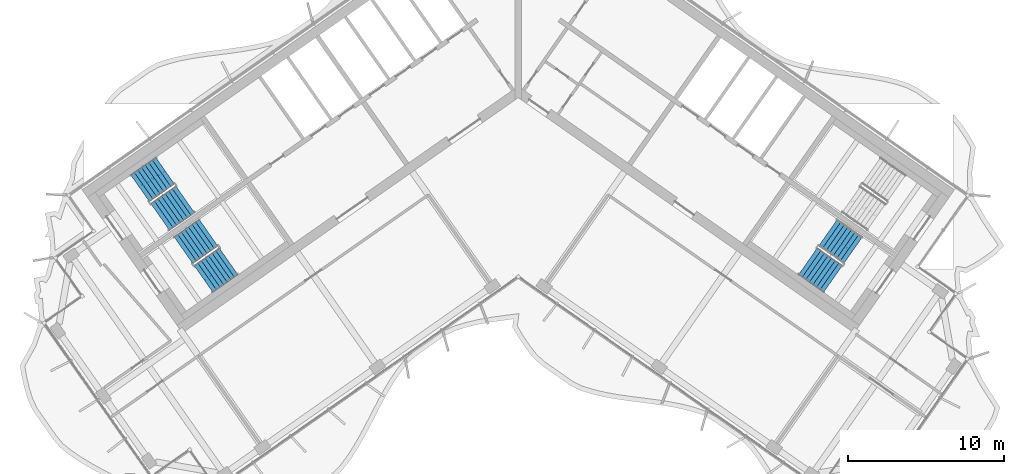
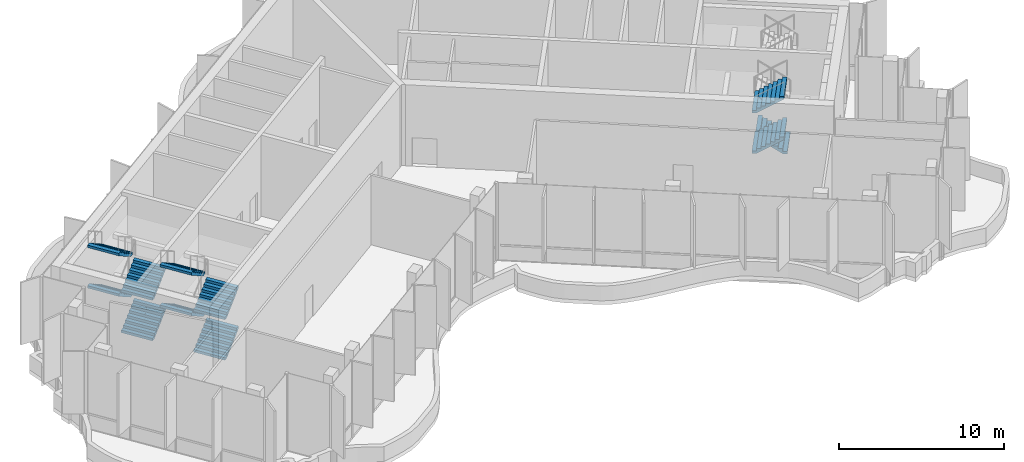
# One storey, part 11 of 18: 11 stair flights, 3 elements without a shape of their own.
"""IFC4 building model written with IfcOpenShell, lengths in metres."""

from ifc_helpers import new_model, si_unit, direction, frame, origin, place, context, subcontext, project, spatial, polyline, outline, extrude, material, type_object, element, aggregate, save


model = new_model("IFC4")

# Units and contexts
model_context = context("Model", 3, precision=1e-05, world=origin(), true_north=direction((0.0, 1.0)))
body_context = subcontext(model_context, "Body", "Model", "MODEL_VIEW")
ifc_project = project(units=[si_unit("LENGTHUNIT", "METRE"), si_unit("AREAUNIT", "SQUARE_METRE"), si_unit("VOLUMEUNIT", "CUBIC_METRE"), si_unit("PLANEANGLEUNIT", "RADIAN"), si_unit("MASSUNIT", "GRAM", prefix="KILO")], contexts=[model_context])

# Site, building, storey
site_placement = place(None, origin())
site = spatial("IfcSite", under=ifc_project, at=site_placement, CompositionType="ELEMENT")
building_placement = place(site_placement, origin())
building = spatial("IfcBuilding", under=site, at=building_placement, Name="Tel Ilan Convention Tower", CompositionType="ELEMENT")
storey_placement = place(building_placement, frame((0.0, 0.0, 307.300048828125)))
storey = spatial("IfcBuildingStorey", under=building, at=storey_placement, Name="L73", CompositionType="ELEMENT", Elevation=307.300048828125)

# Stair, stair flights
ifc_material_1 = material(Name="Concrete C40/50", Category="concrete")
stair_type = type_object("IfcStairType", Name="Pressurised Exit Stair 32 risers 188 mm", PredefinedType="HALF_TURN_STAIR", material=ifc_material_1)
stair_1_placement = place(storey_placement, origin())
stair_1 = element("IfcStair", 1, at=stair_1_placement, inside=storey, type_object=stair_type, Name="L73 Pressurised Stair S1", PredefinedType="HALF_TURN_STAIR")
ifc_material_2 = material(Name="Precast Concrete C40/50", Category="concrete")
stair_flight_type = type_object("IfcStairFlightType", Name="Concrete Stair Flight 2100 mm 32 risers 188 mm", PredefinedType="STRAIGHT", material=ifc_material_2)
stair_flight_1_placement = place(storey_placement, frame((-22.9619140625, -8.87548828125, 0.0), z_axis=(0.0, 0.0, 1.0), x_axis=(0.819152044289, 0.573576436351, 0.0)))
stair_flight_1 = element("IfcStairFlight", 2, at=stair_flight_1_placement, type_object=stair_flight_type, Name="S1 flight 1", NumberOfRisers=8, NumberOfTreads=7, PredefinedType="STRAIGHT", RiserHeight=0.1875, TreadLength=0.28, context=body_context, shape_type="SweptSolid", body=[
    extrude(outline(polyline([(0.0, 0.0), (0.0, 0.1875), (0.280029296875, 0.1875), (0.280029296875, 0.375), (0.56005859375, 0.375), (0.56005859375, 0.5625), (0.840087890625, 0.5625), (0.840087890625, 0.75), (1.1201171875, 0.75), (1.1201171875, 0.9375), (1.39990234375, 0.9375), (1.39990234375, 1.125), (1.679931640625, 1.125), (1.679931640625, 1.3125), (1.9599609375, 1.3125), (1.9599609375, 1.5), (1.9599609375, 1.132080078125), (0.26953125, 0.0), (0.0, 0.0)])), frame((0.0, -0.100341796875, 0.0), z_axis=(0.0, -1.0, 0.0), x_axis=(1.0, 0.0, 0.0)), (0.0, 0.0, 1.0), 0.94970703125),
    extrude(outline(polyline([(0.0, 0.0), (0.0, 0.1875), (0.280029296875, 0.1875), (0.280029296875, 0.375), (0.56005859375, 0.375), (0.56005859375, 0.5625), (0.840087890625, 0.5625), (0.840087890625, 0.75), (1.1201171875, 0.75), (1.1201171875, 0.9375), (1.39990234375, 0.9375), (1.39990234375, 1.125), (1.679931640625, 1.125), (1.679931640625, 1.3125), (1.9599609375, 1.3125), (1.9599609375, 1.5), (1.9599609375, 1.132080078125), (0.26953125, 0.0), (0.0, 0.0)])), frame((0.0, -0.000244140625, 0.0), z_axis=(0.0, -1.0, 0.0), x_axis=(1.0, 0.0, 0.0)), (0.0, 0.0, 1.0), 0.099609375),
    extrude(outline(polyline([(0.0, 0.0), (0.0, 0.1875), (0.280029296875, 0.1875), (0.280029296875, 0.375), (0.56005859375, 0.375), (0.56005859375, 0.5625), (0.840087890625, 0.5625), (0.840087890625, 0.75), (1.1201171875, 0.75), (1.1201171875, 0.9375), (1.39990234375, 0.9375), (1.39990234375, 1.125), (1.679931640625, 1.125), (1.679931640625, 1.3125), (1.9599609375, 1.3125), (1.9599609375, 1.5), (1.9599609375, 1.132080078125), (0.26953125, 0.0), (0.0, 0.0)])), frame((0.0, 0.099853515625, 0.0), z_axis=(0.0, -1.0, 0.0), x_axis=(1.0, 0.0, 0.0)), (0.0, 0.0, 1.0), 0.099609375),
    extrude(outline(polyline([(0.0, 0.0), (0.0, 0.1875), (0.280029296875, 0.1875), (0.280029296875, 0.375), (0.56005859375, 0.375), (0.56005859375, 0.5625), (0.840087890625, 0.5625), (0.840087890625, 0.75), (1.1201171875, 0.75), (1.1201171875, 0.9375), (1.39990234375, 0.9375), (1.39990234375, 1.125), (1.679931640625, 1.125), (1.679931640625, 1.3125), (1.9599609375, 1.3125), (1.9599609375, 1.5), (1.9599609375, 1.132080078125), (0.26953125, 0.0), (0.0, 0.0)])), frame((0.0, 1.050048828125, 0.0), z_axis=(0.0, -1.0, 0.0), x_axis=(1.0, 0.0, 0.0)), (0.0, 0.0, 1.0), 0.94970703125),
])
stair_flight_2_placement = place(storey_placement, frame((-22.646728515625, -5.908203125, 1.5), z_axis=(0.0, 0.0, 1.0), x_axis=(-0.819152044289, -0.573576436351, 0.0)))
stair_flight_2 = element("IfcStairFlight", 3, at=stair_flight_2_placement, type_object=stair_flight_type, Name="S1 flight 2", NumberOfRisers=8, NumberOfTreads=7, PredefinedType="STRAIGHT", RiserHeight=0.1875, TreadLength=0.28, context=body_context, shape_type="SweptSolid", body=[
    extrude(outline(polyline([(0.0, 0.0), (0.0, 0.1875), (0.280029296875, 0.1875), (0.280029296875, 0.375), (0.56005859375, 0.375), (0.56005859375, 0.5625), (0.840087890625, 0.5625), (0.840087890625, 0.75), (1.1201171875, 0.75), (1.1201171875, 0.9375), (1.39990234375, 0.9375), (1.39990234375, 1.125), (1.679931640625, 1.125), (1.679931640625, 1.3125), (1.9599609375, 1.3125), (1.9599609375, 1.5), (1.9599609375, 1.132080078125), (0.26953125, 0.0), (0.0, 0.0)])), frame((0.0, -0.100341796875, 0.0), z_axis=(0.0, -1.0, 0.0), x_axis=(1.0, 0.0, 0.0)), (0.0, 0.0, 1.0), 0.94970703125),
    extrude(outline(polyline([(0.0, 0.0), (0.0, 0.1875), (0.280029296875, 0.1875), (0.280029296875, 0.375), (0.56005859375, 0.375), (0.56005859375, 0.5625), (0.840087890625, 0.5625), (0.840087890625, 0.75), (1.1201171875, 0.75), (1.1201171875, 0.9375), (1.39990234375, 0.9375), (1.39990234375, 1.125), (1.679931640625, 1.125), (1.679931640625, 1.3125), (1.9599609375, 1.3125), (1.9599609375, 1.5), (1.9599609375, 1.132080078125), (0.26953125, 0.0), (0.0, 0.0)])), frame((0.0, -0.000244140625, 0.0), z_axis=(0.0, -1.0, 0.0), x_axis=(1.0, 0.0, 0.0)), (0.0, 0.0, 1.0), 0.099609375),
    extrude(outline(polyline([(0.0, 0.0), (0.0, 0.1875), (0.280029296875, 0.1875), (0.280029296875, 0.375), (0.56005859375, 0.375), (0.56005859375, 0.5625), (0.840087890625, 0.5625), (0.840087890625, 0.75), (1.1201171875, 0.75), (1.1201171875, 0.9375), (1.39990234375, 0.9375), (1.39990234375, 1.125), (1.679931640625, 1.125), (1.679931640625, 1.3125), (1.9599609375, 1.3125), (1.9599609375, 1.5), (1.9599609375, 1.132080078125), (0.26953125, 0.0), (0.0, 0.0)])), frame((0.0, 0.099853515625, 0.0), z_axis=(0.0, -1.0, 0.0), x_axis=(1.0, 0.0, 0.0)), (0.0, 0.0, 1.0), 0.099609375),
    extrude(outline(polyline([(0.0, 0.0), (0.0, 0.1875), (0.280029296875, 0.1875), (0.280029296875, 0.375), (0.56005859375, 0.375), (0.56005859375, 0.5625), (0.840087890625, 0.5625), (0.840087890625, 0.75), (1.1201171875, 0.75), (1.1201171875, 0.9375), (1.39990234375, 0.9375), (1.39990234375, 1.125), (1.679931640625, 1.125), (1.679931640625, 1.3125), (1.9599609375, 1.3125), (1.9599609375, 1.5), (1.9599609375, 1.132080078125), (0.26953125, 0.0), (0.0, 0.0)])), frame((0.0, 1.050048828125, 0.0), z_axis=(0.0, -1.0, 0.0), x_axis=(1.0, 0.0, 0.0)), (0.0, 0.0, 1.0), 0.94970703125),
])
stair_flight_3_placement = place(storey_placement, frame((-22.9619140625, -8.87548828125, 3.0), z_axis=(0.0, 0.0, 1.0), x_axis=(0.819152044289, 0.573576436351, 0.0)))
stair_flight_3 = element("IfcStairFlight", 4, at=stair_flight_3_placement, type_object=stair_flight_type, Name="S1 flight 3", NumberOfRisers=8, NumberOfTreads=7, PredefinedType="STRAIGHT", RiserHeight=0.1875, TreadLength=0.28, context=body_context, shape_type="SweptSolid", body=[
    extrude(outline(polyline([(0.0, 0.0), (0.0, 0.1875), (0.280029296875, 0.1875), (0.280029296875, 0.375), (0.56005859375, 0.375), (0.56005859375, 0.5625), (0.840087890625, 0.5625), (0.840087890625, 0.75), (1.1201171875, 0.75), (1.1201171875, 0.9375), (1.39990234375, 0.9375), (1.39990234375, 1.125), (1.679931640625, 1.125), (1.679931640625, 1.3125), (1.9599609375, 1.3125), (1.9599609375, 1.5), (1.9599609375, 1.132080078125), (0.26953125, 0.0), (0.0, 0.0)])), frame((0.0, -0.100341796875, 0.0), z_axis=(0.0, -1.0, 0.0), x_axis=(1.0, 0.0, 0.0)), (0.0, 0.0, 1.0), 0.94970703125),
    extrude(outline(polyline([(0.0, 0.0), (0.0, 0.1875), (0.280029296875, 0.1875), (0.280029296875, 0.375), (0.56005859375, 0.375), (0.56005859375, 0.5625), (0.840087890625, 0.5625), (0.840087890625, 0.75), (1.1201171875, 0.75), (1.1201171875, 0.9375), (1.39990234375, 0.9375), (1.39990234375, 1.125), (1.679931640625, 1.125), (1.679931640625, 1.3125), (1.9599609375, 1.3125), (1.9599609375, 1.5), (1.9599609375, 1.132080078125), (0.26953125, 0.0), (0.0, 0.0)])), frame((0.0, -0.000244140625, 0.0), z_axis=(0.0, -1.0, 0.0), x_axis=(1.0, 0.0, 0.0)), (0.0, 0.0, 1.0), 0.099609375),
    extrude(outline(polyline([(0.0, 0.0), (0.0, 0.1875), (0.280029296875, 0.1875), (0.280029296875, 0.375), (0.56005859375, 0.375), (0.56005859375, 0.5625), (0.840087890625, 0.5625), (0.840087890625, 0.75), (1.1201171875, 0.75), (1.1201171875, 0.9375), (1.39990234375, 0.9375), (1.39990234375, 1.125), (1.679931640625, 1.125), (1.679931640625, 1.3125), (1.9599609375, 1.3125), (1.9599609375, 1.5), (1.9599609375, 1.132080078125), (0.26953125, 0.0), (0.0, 0.0)])), frame((0.0, 0.099853515625, 0.0), z_axis=(0.0, -1.0, 0.0), x_axis=(1.0, 0.0, 0.0)), (0.0, 0.0, 1.0), 0.099609375),
    extrude(outline(polyline([(0.0, 0.0), (0.0, 0.1875), (0.280029296875, 0.1875), (0.280029296875, 0.375), (0.56005859375, 0.375), (0.56005859375, 0.5625), (0.840087890625, 0.5625), (0.840087890625, 0.75), (1.1201171875, 0.75), (1.1201171875, 0.9375), (1.39990234375, 0.9375), (1.39990234375, 1.125), (1.679931640625, 1.125), (1.679931640625, 1.3125), (1.9599609375, 1.3125), (1.9599609375, 1.5), (1.9599609375, 1.132080078125), (0.26953125, 0.0), (0.0, 0.0)])), frame((0.0, 1.050048828125, 0.0), z_axis=(0.0, -1.0, 0.0), x_axis=(1.0, 0.0, 0.0)), (0.0, 0.0, 1.0), 0.94970703125),
])
stair_flight_4_placement = place(storey_placement, frame((-22.646728515625, -5.908203125, 4.5), z_axis=(0.0, 0.0, 1.0), x_axis=(-0.819152044289, -0.573576436351, 0.0)))
stair_flight_4 = element("IfcStairFlight", 5, at=stair_flight_4_placement, type_object=stair_flight_type, Name="S1 flight 4", NumberOfRisers=8, NumberOfTreads=7, PredefinedType="STRAIGHT", RiserHeight=0.1875, TreadLength=0.28, context=body_context, shape_type="SweptSolid", body=[
    extrude(outline(polyline([(0.0, 0.0), (0.0, 0.1875), (0.280029296875, 0.1875), (0.280029296875, 0.375), (0.56005859375, 0.375), (0.56005859375, 0.5625), (0.840087890625, 0.5625), (0.840087890625, 0.75), (1.1201171875, 0.75), (1.1201171875, 0.9375), (1.39990234375, 0.9375), (1.39990234375, 1.125), (1.679931640625, 1.125), (1.679931640625, 1.3125), (1.9599609375, 1.3125), (1.9599609375, 1.5), (1.9599609375, 1.132080078125), (0.26953125, 0.0), (0.0, 0.0)])), frame((0.0, -0.100341796875, 0.0), z_axis=(0.0, -1.0, 0.0), x_axis=(1.0, 0.0, 0.0)), (0.0, 0.0, 1.0), 0.94970703125),
    extrude(outline(polyline([(0.0, 0.0), (0.0, 0.1875), (0.280029296875, 0.1875), (0.280029296875, 0.375), (0.56005859375, 0.375), (0.56005859375, 0.5625), (0.840087890625, 0.5625), (0.840087890625, 0.75), (1.1201171875, 0.75), (1.1201171875, 0.9375), (1.39990234375, 0.9375), (1.39990234375, 1.125), (1.679931640625, 1.125), (1.679931640625, 1.3125), (1.9599609375, 1.3125), (1.9599609375, 1.5), (1.9599609375, 1.132080078125), (0.26953125, 0.0), (0.0, 0.0)])), frame((0.0, -0.000244140625, 0.0), z_axis=(0.0, -1.0, 0.0), x_axis=(1.0, 0.0, 0.0)), (0.0, 0.0, 1.0), 0.099609375),
    extrude(outline(polyline([(0.0, 0.0), (0.0, 0.1875), (0.280029296875, 0.1875), (0.280029296875, 0.375), (0.56005859375, 0.375), (0.56005859375, 0.5625), (0.840087890625, 0.5625), (0.840087890625, 0.75), (1.1201171875, 0.75), (1.1201171875, 0.9375), (1.39990234375, 0.9375), (1.39990234375, 1.125), (1.679931640625, 1.125), (1.679931640625, 1.3125), (1.9599609375, 1.3125), (1.9599609375, 1.5), (1.9599609375, 1.132080078125), (0.26953125, 0.0), (0.0, 0.0)])), frame((0.0, 0.099853515625, 0.0), z_axis=(0.0, -1.0, 0.0), x_axis=(1.0, 0.0, 0.0)), (0.0, 0.0, 1.0), 0.099609375),
    extrude(outline(polyline([(0.0, 0.0), (0.0, 0.1875), (0.280029296875, 0.1875), (0.280029296875, 0.375), (0.56005859375, 0.375), (0.56005859375, 0.5625), (0.840087890625, 0.5625), (0.840087890625, 0.75), (1.1201171875, 0.75), (1.1201171875, 0.9375), (1.39990234375, 0.9375), (1.39990234375, 1.125), (1.679931640625, 1.125), (1.679931640625, 1.3125), (1.9599609375, 1.3125), (1.9599609375, 1.5), (1.9599609375, 1.132080078125), (0.26953125, 0.0), (0.0, 0.0)])), frame((0.0, 1.050048828125, 0.0), z_axis=(0.0, -1.0, 0.0), x_axis=(1.0, 0.0, 0.0)), (0.0, 0.0, 1.0), 0.94970703125),
])
aggregate(stair_1, [stair_flight_1, stair_flight_2, stair_flight_3, stair_flight_4])

stair_2_placement = place(storey_placement, origin())
stair_2 = element("IfcStair", 6, at=stair_2_placement, inside=storey, type_object=stair_type, Name="L73 Pressurised Stair S2", PredefinedType="HALF_TURN_STAIR")
stair_flight_5_placement = place(storey_placement, frame((-20.179931640625, -12.848388671875, 0.0), z_axis=(0.0, 0.0, 1.0), x_axis=(0.819152044289, 0.573576436351, 0.0)))
stair_flight_5 = element("IfcStairFlight", 7, at=stair_flight_5_placement, type_object=stair_flight_type, Name="S2 flight 1", NumberOfRisers=8, NumberOfTreads=7, PredefinedType="STRAIGHT", RiserHeight=0.1875, TreadLength=0.28, context=body_context, shape_type="SweptSolid", body=[
    extrude(outline(polyline([(0.0, 0.0), (0.0, 0.1875), (0.280029296875, 0.1875), (0.280029296875, 0.375), (0.56005859375, 0.375), (0.56005859375, 0.5625), (0.840087890625, 0.5625), (0.840087890625, 0.75), (1.1201171875, 0.75), (1.1201171875, 0.9375), (1.39990234375, 0.9375), (1.39990234375, 1.125), (1.679931640625, 1.125), (1.679931640625, 1.3125), (1.9599609375, 1.3125), (1.9599609375, 1.5), (1.9599609375, 1.132080078125), (0.26953125, 0.0), (0.0, 0.0)])), frame((0.0, -0.100341796875, 0.0), z_axis=(0.0, -1.0, 0.0), x_axis=(1.0, 0.0, 0.0)), (0.0, 0.0, 1.0), 0.94970703125),
    extrude(outline(polyline([(0.0, 0.0), (0.0, 0.1875), (0.280029296875, 0.1875), (0.280029296875, 0.375), (0.56005859375, 0.375), (0.56005859375, 0.5625), (0.840087890625, 0.5625), (0.840087890625, 0.75), (1.1201171875, 0.75), (1.1201171875, 0.9375), (1.39990234375, 0.9375), (1.39990234375, 1.125), (1.679931640625, 1.125), (1.679931640625, 1.3125), (1.9599609375, 1.3125), (1.9599609375, 1.5), (1.9599609375, 1.132080078125), (0.26953125, 0.0), (0.0, 0.0)])), frame((0.0, -0.000244140625, 0.0), z_axis=(0.0, -1.0, 0.0), x_axis=(1.0, 0.0, 0.0)), (0.0, 0.0, 1.0), 0.099609375),
    extrude(outline(polyline([(0.0, 0.0), (0.0, 0.1875), (0.280029296875, 0.1875), (0.280029296875, 0.375), (0.56005859375, 0.375), (0.56005859375, 0.5625), (0.840087890625, 0.5625), (0.840087890625, 0.75), (1.1201171875, 0.75), (1.1201171875, 0.9375), (1.39990234375, 0.9375), (1.39990234375, 1.125), (1.679931640625, 1.125), (1.679931640625, 1.3125), (1.9599609375, 1.3125), (1.9599609375, 1.5), (1.9599609375, 1.132080078125), (0.26953125, 0.0), (0.0, 0.0)])), frame((0.0, 0.099853515625, 0.0), z_axis=(0.0, -1.0, 0.0), x_axis=(1.0, 0.0, 0.0)), (0.0, 0.0, 1.0), 0.099609375),
    extrude(outline(polyline([(0.0, 0.0), (0.0, 0.1875), (0.280029296875, 0.1875), (0.280029296875, 0.375), (0.56005859375, 0.375), (0.56005859375, 0.5625), (0.840087890625, 0.5625), (0.840087890625, 0.75), (1.1201171875, 0.75), (1.1201171875, 0.9375), (1.39990234375, 0.9375), (1.39990234375, 1.125), (1.679931640625, 1.125), (1.679931640625, 1.3125), (1.9599609375, 1.3125), (1.9599609375, 1.5), (1.9599609375, 1.132080078125), (0.26953125, 0.0), (0.0, 0.0)])), frame((0.0, 1.050048828125, 0.0), z_axis=(0.0, -1.0, 0.0), x_axis=(1.0, 0.0, 0.0)), (0.0, 0.0, 1.0), 0.94970703125),
])
stair_flight_6_placement = place(storey_placement, frame((-19.864990234375, -9.881103515625, 1.5), z_axis=(0.0, 0.0, 1.0), x_axis=(-0.819152044289, -0.573576436351, 0.0)))
stair_flight_6 = element("IfcStairFlight", 8, at=stair_flight_6_placement, type_object=stair_flight_type, Name="S2 flight 2", NumberOfRisers=8, NumberOfTreads=7, PredefinedType="STRAIGHT", RiserHeight=0.1875, TreadLength=0.28, context=body_context, shape_type="SweptSolid", body=[
    extrude(outline(polyline([(0.0, 0.0), (0.0, 0.1875), (0.280029296875, 0.1875), (0.280029296875, 0.375), (0.56005859375, 0.375), (0.56005859375, 0.5625), (0.840087890625, 0.5625), (0.840087890625, 0.75), (1.1201171875, 0.75), (1.1201171875, 0.9375), (1.39990234375, 0.9375), (1.39990234375, 1.125), (1.679931640625, 1.125), (1.679931640625, 1.3125), (1.9599609375, 1.3125), (1.9599609375, 1.5), (1.9599609375, 1.132080078125), (0.26953125, 0.0), (0.0, 0.0)])), frame((0.0, -0.100341796875, 0.0), z_axis=(0.0, -1.0, 0.0), x_axis=(1.0, 0.0, 0.0)), (0.0, 0.0, 1.0), 0.94970703125),
    extrude(outline(polyline([(0.0, 0.0), (0.0, 0.1875), (0.280029296875, 0.1875), (0.280029296875, 0.375), (0.56005859375, 0.375), (0.56005859375, 0.5625), (0.840087890625, 0.5625), (0.840087890625, 0.75), (1.1201171875, 0.75), (1.1201171875, 0.9375), (1.39990234375, 0.9375), (1.39990234375, 1.125), (1.679931640625, 1.125), (1.679931640625, 1.3125), (1.9599609375, 1.3125), (1.9599609375, 1.5), (1.9599609375, 1.132080078125), (0.26953125, 0.0), (0.0, 0.0)])), frame((0.0, -0.000244140625, 0.0), z_axis=(0.0, -1.0, 0.0), x_axis=(1.0, 0.0, 0.0)), (0.0, 0.0, 1.0), 0.099609375),
    extrude(outline(polyline([(0.0, 0.0), (0.0, 0.1875), (0.280029296875, 0.1875), (0.280029296875, 0.375), (0.56005859375, 0.375), (0.56005859375, 0.5625), (0.840087890625, 0.5625), (0.840087890625, 0.75), (1.1201171875, 0.75), (1.1201171875, 0.9375), (1.39990234375, 0.9375), (1.39990234375, 1.125), (1.679931640625, 1.125), (1.679931640625, 1.3125), (1.9599609375, 1.3125), (1.9599609375, 1.5), (1.9599609375, 1.132080078125), (0.26953125, 0.0), (0.0, 0.0)])), frame((0.0, 0.099853515625, 0.0), z_axis=(0.0, -1.0, 0.0), x_axis=(1.0, 0.0, 0.0)), (0.0, 0.0, 1.0), 0.099609375),
    extrude(outline(polyline([(0.0, 0.0), (0.0, 0.1875), (0.280029296875, 0.1875), (0.280029296875, 0.375), (0.56005859375, 0.375), (0.56005859375, 0.5625), (0.840087890625, 0.5625), (0.840087890625, 0.75), (1.1201171875, 0.75), (1.1201171875, 0.9375), (1.39990234375, 0.9375), (1.39990234375, 1.125), (1.679931640625, 1.125), (1.679931640625, 1.3125), (1.9599609375, 1.3125), (1.9599609375, 1.5), (1.9599609375, 1.132080078125), (0.26953125, 0.0), (0.0, 0.0)])), frame((0.0, 1.050048828125, 0.0), z_axis=(0.0, -1.0, 0.0), x_axis=(1.0, 0.0, 0.0)), (0.0, 0.0, 1.0), 0.94970703125),
])
stair_flight_7_placement = place(storey_placement, frame((-20.179931640625, -12.848388671875, 3.0), z_axis=(0.0, 0.0, 1.0), x_axis=(0.819152044289, 0.573576436351, 0.0)))
stair_flight_7 = element("IfcStairFlight", 9, at=stair_flight_7_placement, type_object=stair_flight_type, Name="S2 flight 3", NumberOfRisers=8, NumberOfTreads=7, PredefinedType="STRAIGHT", RiserHeight=0.1875, TreadLength=0.28, context=body_context, shape_type="SweptSolid", body=[
    extrude(outline(polyline([(0.0, 0.0), (0.0, 0.1875), (0.280029296875, 0.1875), (0.280029296875, 0.375), (0.56005859375, 0.375), (0.56005859375, 0.5625), (0.840087890625, 0.5625), (0.840087890625, 0.75), (1.1201171875, 0.75), (1.1201171875, 0.9375), (1.39990234375, 0.9375), (1.39990234375, 1.125), (1.679931640625, 1.125), (1.679931640625, 1.3125), (1.9599609375, 1.3125), (1.9599609375, 1.5), (1.9599609375, 1.132080078125), (0.26953125, 0.0), (0.0, 0.0)])), frame((0.0, -0.100341796875, 0.0), z_axis=(0.0, -1.0, 0.0), x_axis=(1.0, 0.0, 0.0)), (0.0, 0.0, 1.0), 0.94970703125),
    extrude(outline(polyline([(0.0, 0.0), (0.0, 0.1875), (0.280029296875, 0.1875), (0.280029296875, 0.375), (0.56005859375, 0.375), (0.56005859375, 0.5625), (0.840087890625, 0.5625), (0.840087890625, 0.75), (1.1201171875, 0.75), (1.1201171875, 0.9375), (1.39990234375, 0.9375), (1.39990234375, 1.125), (1.679931640625, 1.125), (1.679931640625, 1.3125), (1.9599609375, 1.3125), (1.9599609375, 1.5), (1.9599609375, 1.132080078125), (0.26953125, 0.0), (0.0, 0.0)])), frame((0.0, -0.000244140625, 0.0), z_axis=(0.0, -1.0, 0.0), x_axis=(1.0, 0.0, 0.0)), (0.0, 0.0, 1.0), 0.099609375),
    extrude(outline(polyline([(0.0, 0.0), (0.0, 0.1875), (0.280029296875, 0.1875), (0.280029296875, 0.375), (0.56005859375, 0.375), (0.56005859375, 0.5625), (0.840087890625, 0.5625), (0.840087890625, 0.75), (1.1201171875, 0.75), (1.1201171875, 0.9375), (1.39990234375, 0.9375), (1.39990234375, 1.125), (1.679931640625, 1.125), (1.679931640625, 1.3125), (1.9599609375, 1.3125), (1.9599609375, 1.5), (1.9599609375, 1.132080078125), (0.26953125, 0.0), (0.0, 0.0)])), frame((0.0, 0.099853515625, 0.0), z_axis=(0.0, -1.0, 0.0), x_axis=(1.0, 0.0, 0.0)), (0.0, 0.0, 1.0), 0.099609375),
    extrude(outline(polyline([(0.0, 0.0), (0.0, 0.1875), (0.280029296875, 0.1875), (0.280029296875, 0.375), (0.56005859375, 0.375), (0.56005859375, 0.5625), (0.840087890625, 0.5625), (0.840087890625, 0.75), (1.1201171875, 0.75), (1.1201171875, 0.9375), (1.39990234375, 0.9375), (1.39990234375, 1.125), (1.679931640625, 1.125), (1.679931640625, 1.3125), (1.9599609375, 1.3125), (1.9599609375, 1.5), (1.9599609375, 1.132080078125), (0.26953125, 0.0), (0.0, 0.0)])), frame((0.0, 1.050048828125, 0.0), z_axis=(0.0, -1.0, 0.0), x_axis=(1.0, 0.0, 0.0)), (0.0, 0.0, 1.0), 0.94970703125),
])
stair_flight_8_placement = place(storey_placement, frame((-19.864990234375, -9.881103515625, 4.5), z_axis=(0.0, 0.0, 1.0), x_axis=(-0.819152044289, -0.573576436351, 0.0)))
stair_flight_8 = element("IfcStairFlight", 10, at=stair_flight_8_placement, type_object=stair_flight_type, Name="S2 flight 4", NumberOfRisers=8, NumberOfTreads=7, PredefinedType="STRAIGHT", RiserHeight=0.1875, TreadLength=0.28, context=body_context, shape_type="SweptSolid", body=[
    extrude(outline(polyline([(0.0, 0.0), (0.0, 0.1875), (0.280029296875, 0.1875), (0.280029296875, 0.375), (0.56005859375, 0.375), (0.56005859375, 0.5625), (0.840087890625, 0.5625), (0.840087890625, 0.75), (1.1201171875, 0.75), (1.1201171875, 0.9375), (1.39990234375, 0.9375), (1.39990234375, 1.125), (1.679931640625, 1.125), (1.679931640625, 1.3125), (1.9599609375, 1.3125), (1.9599609375, 1.5), (1.9599609375, 1.132080078125), (0.26953125, 0.0), (0.0, 0.0)])), frame((0.0, -0.100341796875, 0.0), z_axis=(0.0, -1.0, 0.0), x_axis=(1.0, 0.0, 0.0)), (0.0, 0.0, 1.0), 0.94970703125),
    extrude(outline(polyline([(0.0, 0.0), (0.0, 0.1875), (0.280029296875, 0.1875), (0.280029296875, 0.375), (0.56005859375, 0.375), (0.56005859375, 0.5625), (0.840087890625, 0.5625), (0.840087890625, 0.75), (1.1201171875, 0.75), (1.1201171875, 0.9375), (1.39990234375, 0.9375), (1.39990234375, 1.125), (1.679931640625, 1.125), (1.679931640625, 1.3125), (1.9599609375, 1.3125), (1.9599609375, 1.5), (1.9599609375, 1.132080078125), (0.26953125, 0.0), (0.0, 0.0)])), frame((0.0, -0.000244140625, 0.0), z_axis=(0.0, -1.0, 0.0), x_axis=(1.0, 0.0, 0.0)), (0.0, 0.0, 1.0), 0.099609375),
    extrude(outline(polyline([(0.0, 0.0), (0.0, 0.1875), (0.280029296875, 0.1875), (0.280029296875, 0.375), (0.56005859375, 0.375), (0.56005859375, 0.5625), (0.840087890625, 0.5625), (0.840087890625, 0.75), (1.1201171875, 0.75), (1.1201171875, 0.9375), (1.39990234375, 0.9375), (1.39990234375, 1.125), (1.679931640625, 1.125), (1.679931640625, 1.3125), (1.9599609375, 1.3125), (1.9599609375, 1.5), (1.9599609375, 1.132080078125), (0.26953125, 0.0), (0.0, 0.0)])), frame((0.0, 0.099853515625, 0.0), z_axis=(0.0, -1.0, 0.0), x_axis=(1.0, 0.0, 0.0)), (0.0, 0.0, 1.0), 0.099609375),
    extrude(outline(polyline([(0.0, 0.0), (0.0, 0.1875), (0.280029296875, 0.1875), (0.280029296875, 0.375), (0.56005859375, 0.375), (0.56005859375, 0.5625), (0.840087890625, 0.5625), (0.840087890625, 0.75), (1.1201171875, 0.75), (1.1201171875, 0.9375), (1.39990234375, 0.9375), (1.39990234375, 1.125), (1.679931640625, 1.125), (1.679931640625, 1.3125), (1.9599609375, 1.3125), (1.9599609375, 1.5), (1.9599609375, 1.132080078125), (0.26953125, 0.0), (0.0, 0.0)])), frame((0.0, 1.050048828125, 0.0), z_axis=(0.0, -1.0, 0.0), x_axis=(1.0, 0.0, 0.0)), (0.0, 0.0, 1.0), 0.94970703125),
])
aggregate(stair_2, [stair_flight_5, stair_flight_6, stair_flight_7, stair_flight_8])

stair_3_placement = place(storey_placement, origin())
stair_3 = element("IfcStair", 11, at=stair_3_placement, inside=storey, type_object=stair_type, Name="L73 Pressurised Stair S4", PredefinedType="HALF_TURN_STAIR")
stair_flight_9_placement = place(storey_placement, frame((21.470458984375, -11.00537109375, 0.0), z_axis=(0.0, 0.0, 1.0), x_axis=(-0.819152044289, 0.573576436351, 0.0)))
stair_flight_9 = element("IfcStairFlight", 12, at=stair_flight_9_placement, type_object=stair_flight_type, Name="S4 flight 1", NumberOfRisers=8, NumberOfTreads=7, PredefinedType="STRAIGHT", RiserHeight=0.1875, TreadLength=0.28, context=body_context, shape_type="SweptSolid", body=[
    extrude(outline(polyline([(0.0, 0.0), (0.0, 0.1875), (0.280029296875, 0.1875), (0.280029296875, 0.375), (0.56005859375, 0.375), (0.56005859375, 0.5625), (0.840087890625, 0.5625), (0.840087890625, 0.75), (1.1201171875, 0.75), (1.1201171875, 0.9375), (1.39990234375, 0.9375), (1.39990234375, 1.125), (1.679931640625, 1.125), (1.679931640625, 1.3125), (1.9599609375, 1.3125), (1.9599609375, 1.5), (1.9599609375, 1.132080078125), (0.26953125, 0.0), (0.0, 0.0)])), frame((0.0, -0.100341796875, 0.0), z_axis=(0.0, -1.0, 0.0), x_axis=(1.0, 0.0, 0.0)), (0.0, 0.0, 1.0), 0.94970703125),
    extrude(outline(polyline([(0.0, 0.0), (0.0, 0.1875), (0.280029296875, 0.1875), (0.280029296875, 0.375), (0.56005859375, 0.375), (0.56005859375, 0.5625), (0.840087890625, 0.5625), (0.840087890625, 0.75), (1.1201171875, 0.75), (1.1201171875, 0.9375), (1.39990234375, 0.9375), (1.39990234375, 1.125), (1.679931640625, 1.125), (1.679931640625, 1.3125), (1.9599609375, 1.3125), (1.9599609375, 1.5), (1.9599609375, 1.132080078125), (0.26953125, 0.0), (0.0, 0.0)])), frame((0.0, -0.000244140625, 0.0), z_axis=(0.0, -1.0, 0.0), x_axis=(1.0, 0.0, 0.0)), (0.0, 0.0, 1.0), 0.099609375),
    extrude(outline(polyline([(0.0, 0.0), (0.0, 0.1875), (0.280029296875, 0.1875), (0.280029296875, 0.375), (0.56005859375, 0.375), (0.56005859375, 0.5625), (0.840087890625, 0.5625), (0.840087890625, 0.75), (1.1201171875, 0.75), (1.1201171875, 0.9375), (1.39990234375, 0.9375), (1.39990234375, 1.125), (1.679931640625, 1.125), (1.679931640625, 1.3125), (1.9599609375, 1.3125), (1.9599609375, 1.5), (1.9599609375, 1.132080078125), (0.26953125, 0.0), (0.0, 0.0)])), frame((0.0, 0.099853515625, 0.0), z_axis=(0.0, -1.0, 0.0), x_axis=(1.0, 0.0, 0.0)), (0.0, 0.0, 1.0), 0.099609375),
    extrude(outline(polyline([(0.0, 0.0), (0.0, 0.1875), (0.280029296875, 0.1875), (0.280029296875, 0.375), (0.56005859375, 0.375), (0.56005859375, 0.5625), (0.840087890625, 0.5625), (0.840087890625, 0.75), (1.1201171875, 0.75), (1.1201171875, 0.9375), (1.39990234375, 0.9375), (1.39990234375, 1.125), (1.679931640625, 1.125), (1.679931640625, 1.3125), (1.9599609375, 1.3125), (1.9599609375, 1.5), (1.9599609375, 1.132080078125), (0.26953125, 0.0), (0.0, 0.0)])), frame((0.0, 1.050048828125, 0.0), z_axis=(0.0, -1.0, 0.0), x_axis=(1.0, 0.0, 0.0)), (0.0, 0.0, 1.0), 0.94970703125),
])
stair_flight_10_placement = place(storey_placement, frame((18.574462890625, -11.72412109375, 1.5), z_axis=(0.0, 0.0, 1.0), x_axis=(0.819152044289, -0.573576436351, 0.0)))
stair_flight_10 = element("IfcStairFlight", 13, at=stair_flight_10_placement, type_object=stair_flight_type, Name="S4 flight 2", NumberOfRisers=8, NumberOfTreads=7, PredefinedType="STRAIGHT", RiserHeight=0.1875, TreadLength=0.28, context=body_context, shape_type="SweptSolid", body=[
    extrude(outline(polyline([(0.0, 0.0), (0.0, 0.1875), (0.280029296875, 0.1875), (0.280029296875, 0.375), (0.56005859375, 0.375), (0.56005859375, 0.5625), (0.840087890625, 0.5625), (0.840087890625, 0.75), (1.1201171875, 0.75), (1.1201171875, 0.9375), (1.39990234375, 0.9375), (1.39990234375, 1.125), (1.679931640625, 1.125), (1.679931640625, 1.3125), (1.9599609375, 1.3125), (1.9599609375, 1.5), (1.9599609375, 1.132080078125), (0.26953125, 0.0), (0.0, 0.0)])), frame((0.0, -0.100341796875, 0.0), z_axis=(0.0, -1.0, 0.0), x_axis=(1.0, 0.0, 0.0)), (0.0, 0.0, 1.0), 0.94970703125),
    extrude(outline(polyline([(0.0, 0.0), (0.0, 0.1875), (0.280029296875, 0.1875), (0.280029296875, 0.375), (0.56005859375, 0.375), (0.56005859375, 0.5625), (0.840087890625, 0.5625), (0.840087890625, 0.75), (1.1201171875, 0.75), (1.1201171875, 0.9375), (1.39990234375, 0.9375), (1.39990234375, 1.125), (1.679931640625, 1.125), (1.679931640625, 1.3125), (1.9599609375, 1.3125), (1.9599609375, 1.5), (1.9599609375, 1.132080078125), (0.26953125, 0.0), (0.0, 0.0)])), frame((0.0, -0.000244140625, 0.0), z_axis=(0.0, -1.0, 0.0), x_axis=(1.0, 0.0, 0.0)), (0.0, 0.0, 1.0), 0.099609375),
    extrude(outline(polyline([(0.0, 0.0), (0.0, 0.1875), (0.280029296875, 0.1875), (0.280029296875, 0.375), (0.56005859375, 0.375), (0.56005859375, 0.5625), (0.840087890625, 0.5625), (0.840087890625, 0.75), (1.1201171875, 0.75), (1.1201171875, 0.9375), (1.39990234375, 0.9375), (1.39990234375, 1.125), (1.679931640625, 1.125), (1.679931640625, 1.3125), (1.9599609375, 1.3125), (1.9599609375, 1.5), (1.9599609375, 1.132080078125), (0.26953125, 0.0), (0.0, 0.0)])), frame((0.0, 0.099853515625, 0.0), z_axis=(0.0, -1.0, 0.0), x_axis=(1.0, 0.0, 0.0)), (0.0, 0.0, 1.0), 0.099609375),
    extrude(outline(polyline([(0.0, 0.0), (0.0, 0.1875), (0.280029296875, 0.1875), (0.280029296875, 0.375), (0.56005859375, 0.375), (0.56005859375, 0.5625), (0.840087890625, 0.5625), (0.840087890625, 0.75), (1.1201171875, 0.75), (1.1201171875, 0.9375), (1.39990234375, 0.9375), (1.39990234375, 1.125), (1.679931640625, 1.125), (1.679931640625, 1.3125), (1.9599609375, 1.3125), (1.9599609375, 1.5), (1.9599609375, 1.132080078125), (0.26953125, 0.0), (0.0, 0.0)])), frame((0.0, 1.050048828125, 0.0), z_axis=(0.0, -1.0, 0.0), x_axis=(1.0, 0.0, 0.0)), (0.0, 0.0, 1.0), 0.94970703125),
])
stair_flight_11_placement = place(storey_placement, frame((18.574462890625, -11.72412109375, 4.5), z_axis=(0.0, 0.0, 1.0), x_axis=(0.819152044289, -0.573576436351, 0.0)))
stair_flight_11 = element("IfcStairFlight", 14, at=stair_flight_11_placement, type_object=stair_flight_type, Name="S4 flight 4", NumberOfRisers=8, NumberOfTreads=7, PredefinedType="STRAIGHT", RiserHeight=0.1875, TreadLength=0.28, context=body_context, shape_type="SweptSolid", body=[
    extrude(outline(polyline([(0.0, 0.0), (0.0, 0.1875), (0.280029296875, 0.1875), (0.280029296875, 0.375), (0.56005859375, 0.375), (0.56005859375, 0.5625), (0.840087890625, 0.5625), (0.840087890625, 0.75), (1.1201171875, 0.75), (1.1201171875, 0.9375), (1.39990234375, 0.9375), (1.39990234375, 1.125), (1.679931640625, 1.125), (1.679931640625, 1.3125), (1.9599609375, 1.3125), (1.9599609375, 1.5), (1.9599609375, 1.132080078125), (0.26953125, 0.0), (0.0, 0.0)])), frame((0.0, -0.100341796875, 0.0), z_axis=(0.0, -1.0, 0.0), x_axis=(1.0, 0.0, 0.0)), (0.0, 0.0, 1.0), 0.94970703125),
    extrude(outline(polyline([(0.0, 0.0), (0.0, 0.1875), (0.280029296875, 0.1875), (0.280029296875, 0.375), (0.56005859375, 0.375), (0.56005859375, 0.5625), (0.840087890625, 0.5625), (0.840087890625, 0.75), (1.1201171875, 0.75), (1.1201171875, 0.9375), (1.39990234375, 0.9375), (1.39990234375, 1.125), (1.679931640625, 1.125), (1.679931640625, 1.3125), (1.9599609375, 1.3125), (1.9599609375, 1.5), (1.9599609375, 1.132080078125), (0.26953125, 0.0), (0.0, 0.0)])), frame((0.0, -0.000244140625, 0.0), z_axis=(0.0, -1.0, 0.0), x_axis=(1.0, 0.0, 0.0)), (0.0, 0.0, 1.0), 0.099609375),
    extrude(outline(polyline([(0.0, 0.0), (0.0, 0.1875), (0.280029296875, 0.1875), (0.280029296875, 0.375), (0.56005859375, 0.375), (0.56005859375, 0.5625), (0.840087890625, 0.5625), (0.840087890625, 0.75), (1.1201171875, 0.75), (1.1201171875, 0.9375), (1.39990234375, 0.9375), (1.39990234375, 1.125), (1.679931640625, 1.125), (1.679931640625, 1.3125), (1.9599609375, 1.3125), (1.9599609375, 1.5), (1.9599609375, 1.132080078125), (0.26953125, 0.0), (0.0, 0.0)])), frame((0.0, 0.099853515625, 0.0), z_axis=(0.0, -1.0, 0.0), x_axis=(1.0, 0.0, 0.0)), (0.0, 0.0, 1.0), 0.099609375),
    extrude(outline(polyline([(0.0, 0.0), (0.0, 0.1875), (0.280029296875, 0.1875), (0.280029296875, 0.375), (0.56005859375, 0.375), (0.56005859375, 0.5625), (0.840087890625, 0.5625), (0.840087890625, 0.75), (1.1201171875, 0.75), (1.1201171875, 0.9375), (1.39990234375, 0.9375), (1.39990234375, 1.125), (1.679931640625, 1.125), (1.679931640625, 1.3125), (1.9599609375, 1.3125), (1.9599609375, 1.5), (1.9599609375, 1.132080078125), (0.26953125, 0.0), (0.0, 0.0)])), frame((0.0, 1.050048828125, 0.0), z_axis=(0.0, -1.0, 0.0), x_axis=(1.0, 0.0, 0.0)), (0.0, 0.0, 1.0), 0.94970703125),
])
aggregate(stair_3, [stair_flight_9, stair_flight_10, stair_flight_11])

save(model, "model.ifc")
